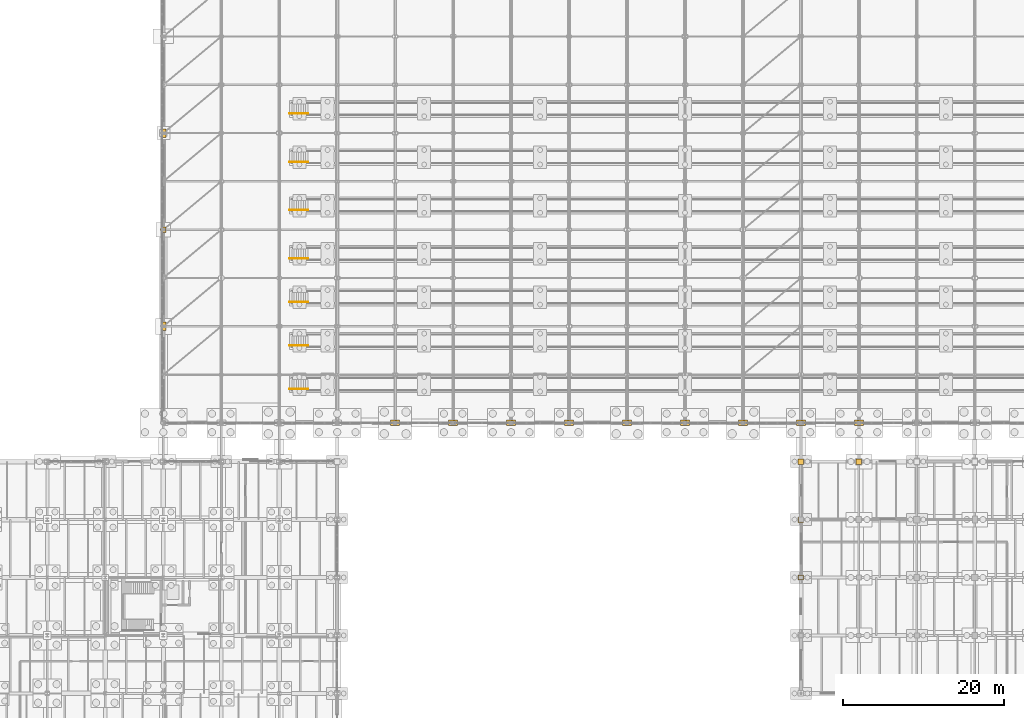
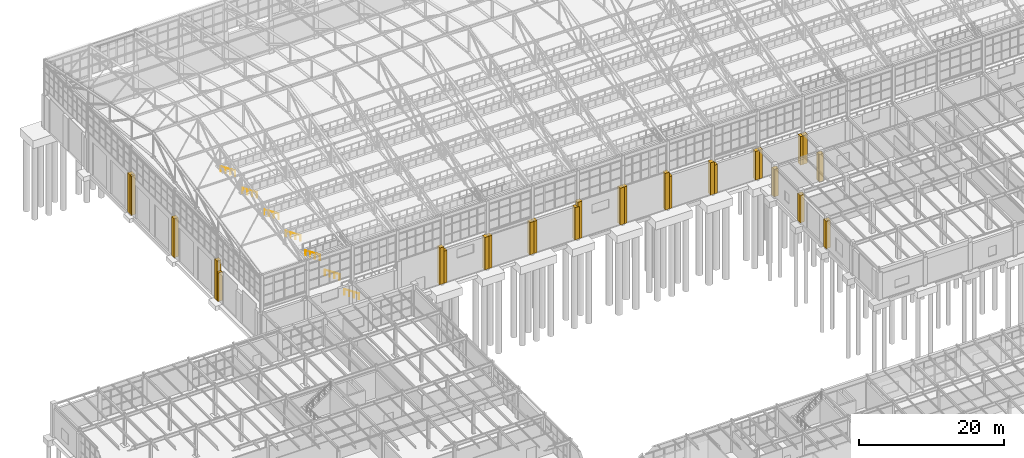
# One storey, part 281 of 293: 27 coverings, 7 railings.
"""IFC4 building model written with IfcOpenShell, lengths in metres."""

from ifc_helpers import new_model, si_unit, direction, frame, origin, origin_2d, place, context, subcontext, project, spatial, polyline, circle, outline, extrude, material, layer, layer_set, type_object, element, save


model = new_model("IFC4")

# Units and contexts
model_context = context("Model", 3, precision=1e-05, world=origin(), true_north=direction((0.0, 1.0)))
body_context = subcontext(model_context, "Body", "Model", "MODEL_VIEW")
ifc_project = project(units=[si_unit("LENGTHUNIT", "METRE"), si_unit("AREAUNIT", "SQUARE_METRE"), si_unit("VOLUMEUNIT", "CUBIC_METRE"), si_unit("PLANEANGLEUNIT", "RADIAN"), si_unit("MASSUNIT", "GRAM", prefix="KILO")], contexts=[model_context])

# Site, building, storey
site_placement = place(None, origin())
site = spatial("IfcSite", under=ifc_project, at=site_placement, CompositionType="ELEMENT")
building_placement = place(site_placement, origin())
building = spatial("IfcBuilding", under=site, at=building_placement, Name="Kemerveld Promenade Tramway Depot", CompositionType="ELEMENT")
storey_placement = place(building_placement, origin())
storey = spatial("IfcBuildingStorey", under=building, at=storey_placement, Name="L00", CompositionType="ELEMENT", Elevation=0.0)

# Coverings
ifc_material_1 = material(Name="Dressed Harare granite ashlar cladding", Category="masonry")
ifc_layer = layer(ifc_material_1, 0.050048828125)
ifc_layer_set = layer_set([ifc_layer], Name="COV-CLAD-GRAN")
covering_type = type_object("IfcCoveringType", Name="COV-CLAD-GRAN", PredefinedType="CLADDING", material=ifc_layer_set)
covering_1_placement = place(storey_placement, origin())
element("IfcCovering", 1, at=covering_1_placement, inside=storey, type_object=covering_type, Name="CLAD-PIER-L00-012", PredefinedType="CLADDING", context=body_context, shape_type="SweptSolid", body=[
    extrude(outline(polyline([(64.239990234375, 83.659912109375), (64.919921875, 83.659912109375), (64.919921875, 84.340087890625), (64.239990234375, 84.340087890625), (64.239990234375, 83.659912109375)])), origin(), (0.0, 0.0, 1.0), 6.199951171875),
])
covering_2_placement = place(storey_placement, origin())
element("IfcCovering", 2, at=covering_2_placement, inside=storey, type_object=covering_type, Name="CLAD-PIER-L00-015", PredefinedType="CLADDING", context=body_context, shape_type="SweptSolid", body=[
    extrude(outline(polyline([(71.43994140625, 83.659912109375), (72.1201171875, 83.659912109375), (72.1201171875, 84.340087890625), (71.43994140625, 84.340087890625), (71.43994140625, 83.659912109375)])), origin(), (0.0, 0.0, 1.0), 5.443359375),
])
covering_3_placement = place(storey_placement, origin())
element("IfcCovering", 3, at=covering_3_placement, inside=storey, type_object=covering_type, Name="CLAD-PIER-L00-016", PredefinedType="CLADDING", context=body_context, shape_type="SweptSolid", body=[
    extrude(outline(polyline([(64.679931640625, 83.659912109375), (65.360107421875, 83.659912109375), (65.360107421875, 84.340087890625), (64.679931640625, 84.340087890625), (64.679931640625, 83.659912109375)])), origin(), (0.0, 0.0, 1.0), 5.443359375),
])
covering_4_placement = place(storey_placement, origin())
element("IfcCovering", 4, at=covering_4_placement, inside=storey, type_object=covering_type, Name="CLAD-PIER-L00-018", PredefinedType="CLADDING", context=body_context, shape_type="SweptSolid", body=[
    extrude(outline(polyline([(78.639892578125, 83.659912109375), (79.320068359375, 83.659912109375), (79.320068359375, 84.340087890625), (78.639892578125, 84.340087890625), (78.639892578125, 83.659912109375)])), origin(), (0.0, 0.0, 1.0), 5.443359375),
])
covering_5_placement = place(storey_placement, origin())
element("IfcCovering", 5, at=covering_5_placement, inside=storey, type_object=covering_type, Name="CLAD-PIER-L00-019", PredefinedType="CLADDING", context=body_context, shape_type="SweptSolid", body=[
    extrude(outline(polyline([(71.8798828125, 83.659912109375), (72.56005859375, 83.659912109375), (72.56005859375, 84.340087890625), (71.8798828125, 84.340087890625), (71.8798828125, 83.659912109375)])), origin(), (0.0, 0.0, 1.0), 5.443359375),
])
covering_6_placement = place(storey_placement, origin())
element("IfcCovering", 6, at=covering_6_placement, inside=storey, type_object=covering_type, Name="CLAD-PIER-L00-021", PredefinedType="CLADDING", context=body_context, shape_type="SweptSolid", body=[
    extrude(outline(polyline([(85.840087890625, 83.659912109375), (86.52001953125, 83.659912109375), (86.52001953125, 84.340087890625), (85.840087890625, 84.340087890625), (85.840087890625, 83.659912109375)])), origin(), (0.0, 0.0, 1.0), 5.443359375),
])
covering_7_placement = place(storey_placement, origin())
element("IfcCovering", 7, at=covering_7_placement, inside=storey, type_object=covering_type, Name="CLAD-PIER-L00-022", PredefinedType="CLADDING", context=body_context, shape_type="SweptSolid", body=[
    extrude(outline(polyline([(79.080078125, 83.659912109375), (79.760009765625, 83.659912109375), (79.760009765625, 84.340087890625), (79.080078125, 84.340087890625), (79.080078125, 83.659912109375)])), origin(), (0.0, 0.0, 1.0), 5.443359375),
])
covering_8_placement = place(storey_placement, origin())
element("IfcCovering", 8, at=covering_8_placement, inside=storey, type_object=covering_type, Name="CLAD-PIER-L00-024", PredefinedType="CLADDING", context=body_context, shape_type="SweptSolid", body=[
    extrude(outline(polyline([(93.0400390625, 83.659912109375), (93.719970703125, 83.659912109375), (93.719970703125, 84.340087890625), (93.0400390625, 84.340087890625), (93.0400390625, 83.659912109375)])), origin(), (0.0, 0.0, 1.0), 6.199951171875),
])
covering_9_placement = place(storey_placement, origin())
element("IfcCovering", 9, at=covering_9_placement, inside=storey, type_object=covering_type, Name="CLAD-PIER-L00-025", PredefinedType="CLADDING", context=body_context, shape_type="SweptSolid", body=[
    extrude(outline(polyline([(86.280029296875, 83.659912109375), (86.9599609375, 83.659912109375), (86.9599609375, 84.340087890625), (86.280029296875, 84.340087890625), (86.280029296875, 83.659912109375)])), origin(), (0.0, 0.0, 1.0), 6.199951171875),
])
covering_10_placement = place(storey_placement, origin())
element("IfcCovering", 10, at=covering_10_placement, inside=storey, type_object=covering_type, Name="CLAD-PIER-L00-027", PredefinedType="CLADDING", context=body_context, shape_type="SweptSolid", body=[
    extrude(outline(polyline([(100.239990234375, 83.659912109375), (100.919921875, 83.659912109375), (100.919921875, 84.340087890625), (100.239990234375, 84.340087890625), (100.239990234375, 83.659912109375)])), origin(), (0.0, 0.0, 1.0), 6.199951171875),
])
covering_11_placement = place(storey_placement, origin())
element("IfcCovering", 11, at=covering_11_placement, inside=storey, type_object=covering_type, Name="CLAD-PIER-L00-028", PredefinedType="CLADDING", context=body_context, shape_type="SweptSolid", body=[
    extrude(outline(polyline([(93.47998046875, 83.659912109375), (94.159912109375, 83.659912109375), (94.159912109375, 84.340087890625), (93.47998046875, 84.340087890625), (93.47998046875, 83.659912109375)])), origin(), (0.0, 0.0, 1.0), 6.199951171875),
])
covering_12_placement = place(storey_placement, origin())
element("IfcCovering", 12, at=covering_12_placement, inside=storey, type_object=covering_type, Name="CLAD-PIER-L00-030", PredefinedType="CLADDING", context=body_context, shape_type="SweptSolid", body=[
    extrude(outline(polyline([(107.43994140625, 83.659912109375), (108.1201171875, 83.659912109375), (108.1201171875, 84.340087890625), (107.43994140625, 84.340087890625), (107.43994140625, 83.659912109375)])), origin(), (0.0, 0.0, 1.0), 5.443359375),
])
covering_13_placement = place(storey_placement, origin())
element("IfcCovering", 13, at=covering_13_placement, inside=storey, type_object=covering_type, Name="CLAD-PIER-L00-031", PredefinedType="CLADDING", context=body_context, shape_type="SweptSolid", body=[
    extrude(outline(polyline([(100.679931640625, 83.659912109375), (101.360107421875, 83.659912109375), (101.360107421875, 84.340087890625), (100.679931640625, 84.340087890625), (100.679931640625, 83.659912109375)])), origin(), (0.0, 0.0, 1.0), 5.443359375),
])
covering_14_placement = place(storey_placement, origin())
element("IfcCovering", 14, at=covering_14_placement, inside=storey, type_object=covering_type, Name="CLAD-PIER-L00-033", PredefinedType="CLADDING", context=body_context, shape_type="SweptSolid", body=[
    extrude(outline(polyline([(114.639892578125, 83.659912109375), (115.320068359375, 83.659912109375), (115.320068359375, 84.340087890625), (114.639892578125, 84.340087890625), (114.639892578125, 83.659912109375)])), origin(), (0.0, 0.0, 1.0), 4.843505859375),
])
covering_15_placement = place(storey_placement, origin())
element("IfcCovering", 15, at=covering_15_placement, inside=storey, type_object=covering_type, Name="CLAD-PIER-L00-034", PredefinedType="CLADDING", context=body_context, shape_type="SweptSolid", body=[
    extrude(outline(polyline([(107.8798828125, 83.659912109375), (108.56005859375, 83.659912109375), (108.56005859375, 84.340087890625), (107.8798828125, 84.340087890625), (107.8798828125, 83.659912109375)])), origin(), (0.0, 0.0, 1.0), 4.843505859375),
])
covering_16_placement = place(storey_placement, origin())
element("IfcCovering", 16, at=covering_16_placement, inside=storey, type_object=covering_type, Name="CLAD-PIER-L00-036", PredefinedType="CLADDING", context=body_context, shape_type="SweptSolid", body=[
    extrude(outline(polyline([(121.840087890625, 83.659912109375), (122.52001953125, 83.659912109375), (122.52001953125, 84.340087890625), (121.840087890625, 84.340087890625), (121.840087890625, 83.659912109375)])), origin(), (0.0, 0.0, 1.0), 4.843505859375),
])
covering_17_placement = place(storey_placement, origin())
element("IfcCovering", 17, at=covering_17_placement, inside=storey, type_object=covering_type, Name="CLAD-PIER-L00-037", PredefinedType="CLADDING", context=body_context, shape_type="SweptSolid", body=[
    extrude(outline(polyline([(115.080078125, 83.659912109375), (115.760009765625, 83.659912109375), (115.760009765625, 84.340087890625), (115.080078125, 84.340087890625), (115.080078125, 83.659912109375)])), origin(), (0.0, 0.0, 1.0), 4.843505859375),
])
covering_18_placement = place(storey_placement, origin())
element("IfcCovering", 18, at=covering_18_placement, inside=storey, type_object=covering_type, Name="CLAD-PIER-L00-040", PredefinedType="CLADDING", context=body_context, shape_type="SweptSolid", body=[
    extrude(outline(polyline([(122.280029296875, 83.659912109375), (122.9599609375, 83.659912109375), (122.9599609375, 84.340087890625), (122.280029296875, 84.340087890625), (122.280029296875, 83.659912109375)])), origin(), (0.0, 0.0, 1.0), 4.843505859375),
])
covering_19_placement = place(storey_placement, origin())
element("IfcCovering", 19, at=covering_19_placement, inside=storey, type_object=covering_type, Name="CLAD-PIER-L00-066", PredefinedType="CLADDING", context=body_context, shape_type="SweptSolid", body=[
    extrude(outline(polyline([(35.659912109375, 95.47998046875), (36.340087890625, 95.47998046875), (36.340087890625, 96.159912109375), (35.659912109375, 96.159912109375), (35.659912109375, 95.47998046875)])), origin(), (0.0, 0.0, 1.0), 4.843505859375),
])
covering_20_placement = place(storey_placement, origin())
element("IfcCovering", 20, at=covering_20_placement, inside=storey, type_object=covering_type, Name="CLAD-PIER-L00-069", PredefinedType="CLADDING", context=body_context, shape_type="SweptSolid", body=[
    extrude(outline(polyline([(35.659912109375, 95.840087890625), (36.340087890625, 95.840087890625), (36.340087890625, 96.52001953125), (35.659912109375, 96.52001953125), (35.659912109375, 95.840087890625)])), origin(), (0.0, 0.0, 1.0), 6.60009765625),
])
covering_21_placement = place(storey_placement, origin())
element("IfcCovering", 21, at=covering_21_placement, inside=storey, type_object=covering_type, Name="CLAD-PIER-L00-070", PredefinedType="CLADDING", context=body_context, shape_type="SweptSolid", body=[
    extrude(outline(polyline([(35.659912109375, 107.659912109375), (36.340087890625, 107.659912109375), (36.340087890625, 108.340087890625), (35.659912109375, 108.340087890625), (35.659912109375, 107.659912109375)])), origin(), (0.0, 0.0, 1.0), 6.60009765625),
])
covering_22_placement = place(storey_placement, origin())
element("IfcCovering", 22, at=covering_22_placement, inside=storey, type_object=covering_type, Name="CLAD-PIER-L00-073", PredefinedType="CLADDING", context=body_context, shape_type="SweptSolid", body=[
    extrude(outline(polyline([(35.659912109375, 119.47998046875), (36.340087890625, 119.47998046875), (36.340087890625, 120.159912109375), (35.659912109375, 120.159912109375), (35.659912109375, 119.47998046875)])), origin(), (0.0, 0.0, 1.0), 6.60009765625),
])
covering_23_placement = place(storey_placement, origin())
element("IfcCovering", 23, at=covering_23_placement, inside=storey, type_object=covering_type, Name="CLAD-PIER-L00-075", PredefinedType="CLADDING", context=body_context, shape_type="SweptSolid", body=[
    extrude(outline(polyline([(35.659912109375, 119.840087890625), (36.340087890625, 119.840087890625), (36.340087890625, 120.52001953125), (35.659912109375, 120.52001953125), (35.659912109375, 119.840087890625)])), origin(), (0.0, 0.0, 1.0), 6.60009765625),
])
covering_24_placement = place(storey_placement, origin())
element("IfcCovering", 24, at=covering_24_placement, inside=storey, type_object=covering_type, Name="CLAD-PIER-L00-145", PredefinedType="CLADDING", context=body_context, shape_type="SweptSolid", body=[
    extrude(outline(polyline([(114.860107421875, 64.4599609375), (115.5400390625, 64.4599609375), (115.5400390625, 65.139892578125), (114.860107421875, 65.139892578125), (114.860107421875, 64.4599609375)])), origin(), (0.0, 0.0, 1.0), 4.64990234375),
])
covering_25_placement = place(storey_placement, origin())
element("IfcCovering", 25, at=covering_25_placement, inside=storey, type_object=covering_type, Name="CLAD-PIER-L00-146", PredefinedType="CLADDING", context=body_context, shape_type="SweptSolid", body=[
    extrude(outline(polyline([(114.860107421875, 71.659912109375), (115.5400390625, 71.659912109375), (115.5400390625, 72.340087890625), (114.860107421875, 72.340087890625), (114.860107421875, 71.659912109375)])), origin(), (0.0, 0.0, 1.0), 4.64990234375),
])
covering_26_placement = place(storey_placement, origin())
element("IfcCovering", 26, at=covering_26_placement, inside=storey, type_object=covering_type, Name="CLAD-PIER-L00-147", PredefinedType="CLADDING", context=body_context, shape_type="SweptSolid", body=[
    extrude(outline(polyline([(114.860107421875, 78.860107421875), (115.5400390625, 78.860107421875), (115.5400390625, 79.5400390625), (114.860107421875, 79.5400390625), (114.860107421875, 78.860107421875)])), origin(), (0.0, 0.0, 1.0), 4.64990234375),
])
covering_27_placement = place(storey_placement, origin())
element("IfcCovering", 27, at=covering_27_placement, inside=storey, type_object=covering_type, Name="CLAD-PIER-L00-148", PredefinedType="CLADDING", context=body_context, shape_type="SweptSolid", body=[
    extrude(outline(polyline([(122.06005859375, 78.860107421875), (122.739990234375, 78.860107421875), (122.739990234375, 79.5400390625), (122.06005859375, 79.5400390625), (122.06005859375, 78.860107421875)])), origin(), (0.0, 0.0, 1.0), 4.64990234375),
])

# Railings
ifc_material_2 = material(Name="Brushed stainless steel tubular handrail", Category="steel")
railing_type = type_object("IfcRailingType", Name="RL-HR-920", PredefinedType="HANDRAIL", material=ifc_material_2)
for number, where, name in (
    (28, (53.969970703125, 88.22509765625, -1.550048828125), "RL-HR-ST-P01"),
    (29, (53.969970703125, 93.625, -1.550048828125), "RL-HR-ST-P02"),
    (30, (53.969970703125, 99.02490234375, -1.550048828125), "RL-HR-ST-P03"),
    (31, (53.969970703125, 104.425048828125, -1.550048828125), "RL-HR-ST-P04"),
    (32, (53.969970703125, 110.425048828125, -1.550048828125), "RL-HR-ST-P05"),
    (33, (53.969970703125, 116.425048828125, -1.550048828125), "RL-HR-ST-P06"),
    (34, (53.969970703125, 122.425048828125, -1.550048828125), "RL-HR-ST-P07"),
):
    element("IfcRailing", number, at=place(storey_placement, frame(where)), inside=storey, type_object=railing_type, Name=name, PredefinedType="HANDRAIL", context=body_context, shape_type="SweptSolid", body=[
        extrude(circle(Radius=0.02392578125, at=origin_2d()), frame((0.0, 0.0, 0.89599609375), z_axis=(-0.83149796905, 0.0, 0.555527791803), x_axis=(0.0, -1.0, 0.0)), (0.0, 0.0, 1.0), 2.790283203125),
        extrude(circle(Radius=0.02099609375, at=origin_2d()), origin(), (0.0, 0.0, 1.0), 0.871826171875),
        extrude(circle(Radius=0.02099609375, at=origin_2d()), frame((-0.7734375, 0.0, 0.5166015625)), (0.0, 0.0, 1.0), 0.871826171875),
        extrude(circle(Radius=0.02099609375, at=origin_2d()), frame((-1.546630859375, 0.0, 1.033447265625)), (0.0, 0.0, 1.0), 0.871826171875),
        extrude(circle(Radius=0.02099609375, at=origin_2d()), frame((-2.320068359375, 0.0, 1.550048828125)), (0.0, 0.0, 1.0), 0.871826171875),
    ])

save(model, "model.ifc")
